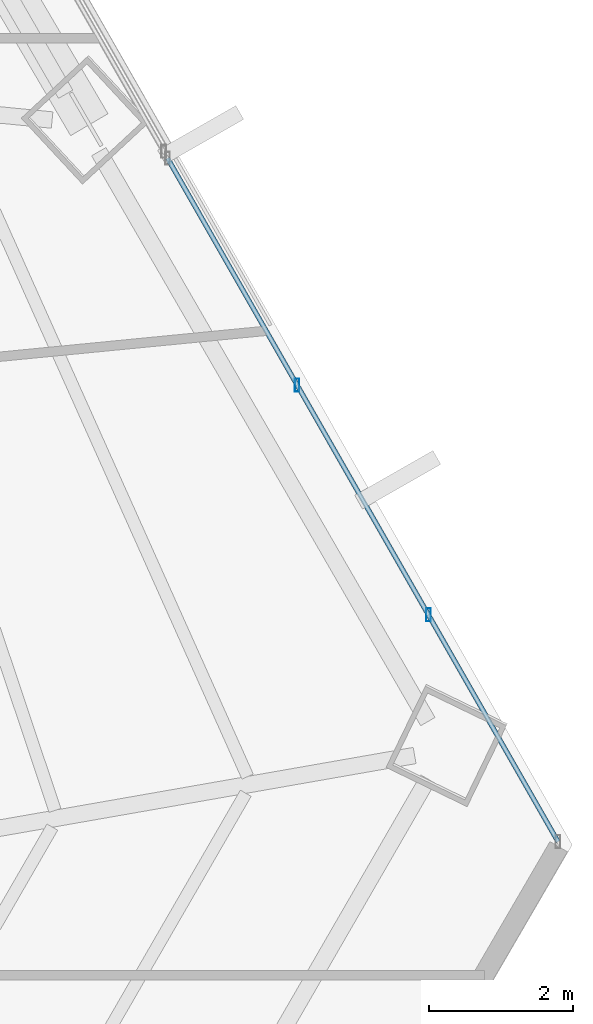
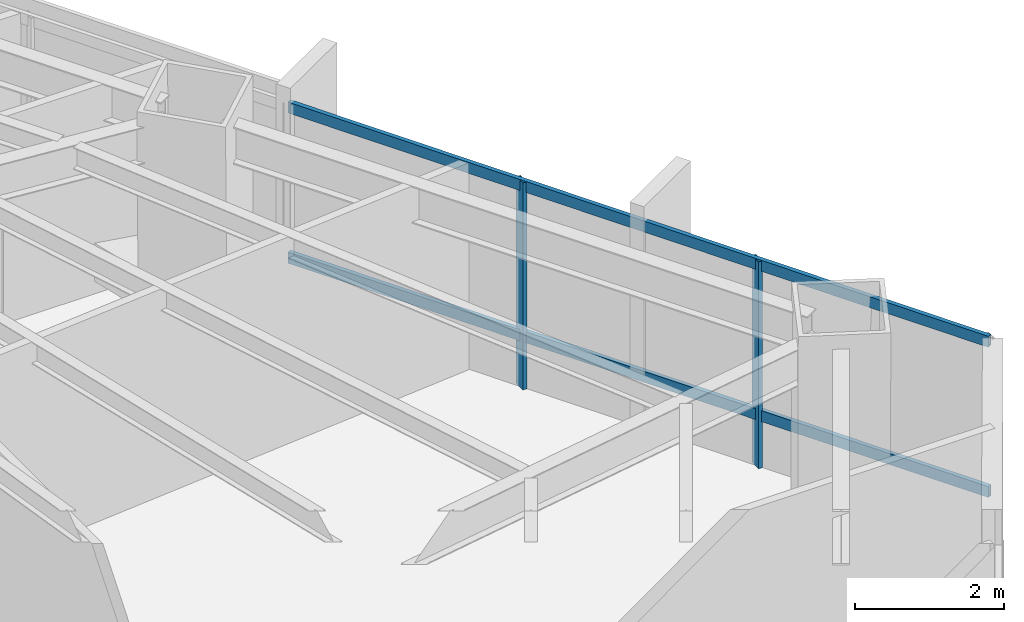
# One storey, part 22 of 34: 4 members, 1 element without a shape of its own.
"""IFC4 building model written with IfcOpenShell, lengths in metres."""

from ifc_helpers import new_model, si_unit, direction, frame, origin, origin_2d, place, context, subcontext, project, spatial, hollow_rectangle, extrude, source, transform, mapped, material, material_profile, profile_set, type_object, type_shapes, element, aggregate, save


model = new_model("IFC4")

# Units and contexts
model_context = context("Model", 3, precision=1e-05, world=origin(), true_north=direction((0.0, 1.0)))
body_context = subcontext(model_context, "Body", "Model", "MODEL_VIEW")
ifc_project = project(units=[si_unit("LENGTHUNIT", "METRE"), si_unit("AREAUNIT", "SQUARE_METRE"), si_unit("VOLUMEUNIT", "CUBIC_METRE"), si_unit("PLANEANGLEUNIT", "RADIAN"), si_unit("MASSUNIT", "GRAM", prefix="KILO")], contexts=[model_context])

# Site, building, storey
site_placement = place(None, origin())
site = spatial("IfcSite", under=ifc_project, at=site_placement, CompositionType="ELEMENT")
building_placement = place(site_placement, origin())
building = spatial("IfcBuilding", under=site, at=building_placement, Name="Caelisora Broadcast Tower", CompositionType="ELEMENT")
storey_placement = place(building_placement, frame((0.0, 0.0, 56.800048828125)))
storey = spatial("IfcBuildingStorey", under=building, at=storey_placement, Name="L14", CompositionType="ELEMENT", Elevation=56.800048828125)

# Curtain wall, members
ifc_material_1 = material(Name="Unitised Aluminium and Low-E Glass Curtain Wall", Category="glass")
curtain_wall_type = type_object("IfcCurtainWallType", Name="CW-Z1", PredefinedType="NOTDEFINED", material=ifc_material_1)
curtain_wall_placement = place(storey_placement, origin())
curtain_wall = element("IfcCurtainWall", 1, at=curtain_wall_placement, inside=storey, type_object=curtain_wall_type, Name="L14 curtain wall CW-Z1", PredefinedType="NOTDEFINED")
ifc_material_2 = material(Name="Aluminium 6063-T6 Anodised Terracotta Bronze", Category="aluminium")
ifc_material_profile_1 = material_profile(ifc_material_2, hollow_rectangle(XDim=0.06494140625, YDim=0.179931640625, WallThickness=0.00341796875, at=origin_2d()), Name="Aluminium 6063-T6 Anodised Terracotta Bronze")
ifc_profile_set_1 = profile_set([ifc_material_profile_1], Name="Aluminium 6063-T6 Anodised Terracotta Bronze")
member_type_1 = type_object("IfcMemberType", Name="CWM-02", PredefinedType="MULLION", material=ifc_profile_set_1)
shared_shape_1 = source(origin(), body_context, "Body", "SweptSolid", [
    extrude(hollow_rectangle(XDim=0.06494140625, YDim=0.179931640625, WallThickness=0.00341796875, at=origin_2d()), origin(), (0.0, 0.0, 1.0), 3.39990234375),
])
type_shapes(member_type_1, [shared_shape_1])
member_1_placement = place(storey_placement, frame((59.55810546875, 25.28662109375, 0.0), z_axis=(0.0, 0.0, 1.0), x_axis=(1.0, 0.0, 0.0)))
member_1 = element("IfcMember", 2, at=member_1_placement, type_object=member_type_1, Name="L14-CW-B03 mullion #1", PredefinedType="MULLION", context=body_context, shape_type="MappedRepresentation", body=[
    mapped(shared_shape_1, transform((0.0, 0.0, 0.0), scale=1.0)),
])
member_2_placement = place(storey_placement, frame((61.380126953125, 22.097412109375, 0.0), z_axis=(0.0, 0.0, 1.0), x_axis=(1.0, 0.0, 0.0)))
member_2 = element("IfcMember", 3, at=member_2_placement, type_object=member_type_1, Name="L14-CW-B03 mullion #2", PredefinedType="MULLION", context=body_context, shape_type="MappedRepresentation", body=[
    mapped(shared_shape_1, transform((0.0, 0.0, 0.0), scale=1.0)),
])
ifc_material_profile_2 = material_profile(ifc_material_2, hollow_rectangle(XDim=0.06494140625, YDim=0.179931640625, WallThickness=0.00341796875, at=origin_2d()), Name="Aluminium 6063-T6 Anodised Terracotta Bronze")
ifc_profile_set_2 = profile_set([ifc_material_profile_2], Name="Aluminium 6063-T6 Anodised Terracotta Bronze")
member_type_2 = type_object("IfcMemberType", Name="CWT-01", PredefinedType="USERDEFINED", material=ifc_profile_set_2)
shared_shape_2 = source(origin(), body_context, "Body", "SweptSolid", [
    extrude(hollow_rectangle(XDim=0.06494140625, YDim=0.179931640625, WallThickness=0.00341796875, at=origin_2d()), origin(), (0.0, 0.0, 1.0), 10.919189453125),
])
type_shapes(member_type_2, [shared_shape_2])
member_3_placement = place(storey_placement, frame((57.760986328125, 28.4326171875, 0.849853515625), z_axis=(0.496030580177, -0.868305052115, 0.0), x_axis=(0.868305052115, 0.496030580177, 0.0)))
member_3 = element("IfcMember", 4, at=member_3_placement, type_object=member_type_2, Name="L14-CW-B03 transom #1", ObjectType="TRANSOM", PredefinedType="USERDEFINED", context=body_context, shape_type="MappedRepresentation", body=[
    mapped(shared_shape_2, transform((0.0, 0.0, 0.0), scale=1.0)),
])
member_4_placement = place(storey_placement, frame((57.760986328125, 28.4326171875, 3.320068359375), z_axis=(0.496030580177, -0.868305052115, 0.0), x_axis=(0.868305052115, 0.496030580177, 0.0)))
member_4 = element("IfcMember", 5, at=member_4_placement, type_object=member_type_2, Name="L14-CW-B03 transom #2", ObjectType="TRANSOM", PredefinedType="USERDEFINED", context=body_context, shape_type="MappedRepresentation", body=[
    mapped(shared_shape_2, transform((0.0, 0.0, 0.0), scale=1.0)),
])
aggregate(curtain_wall, [member_1, member_2, member_3, member_4])

save(model, "model.ifc")
